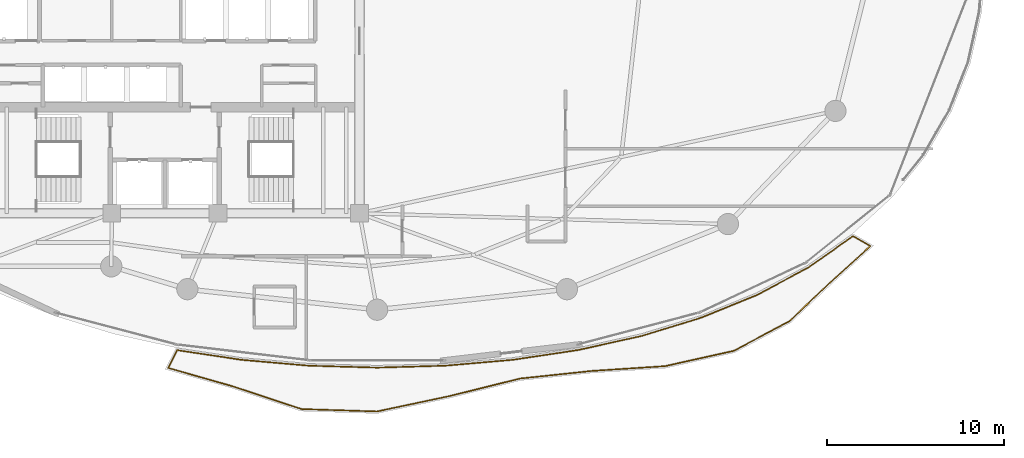
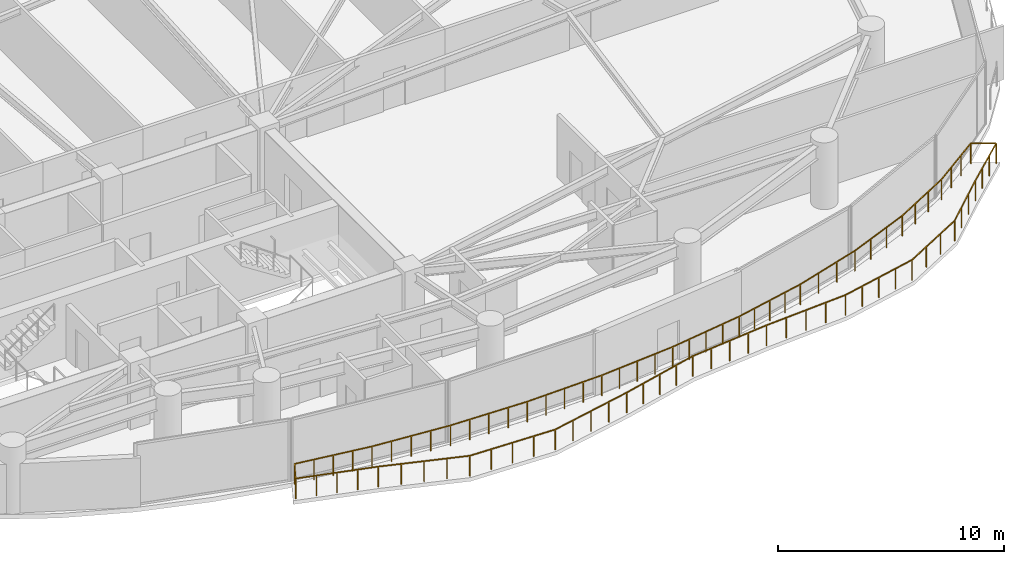
# One storey, part 32 of 34: 1 railing.
"""IFC4 building model written with IfcOpenShell, lengths in metres."""

from ifc_helpers import new_model, si_unit, direction, frame, origin, origin_2d, place, context, subcontext, project, spatial, rectangle, extrude, material, type_object, element, save


model = new_model("IFC4")

# Units and contexts
model_context = context("Model", 3, precision=1e-05, world=origin(), true_north=direction((0.0, 1.0)))
body_context = subcontext(model_context, "Body", "Model", "MODEL_VIEW")
ifc_project = project(units=[si_unit("LENGTHUNIT", "METRE"), si_unit("AREAUNIT", "SQUARE_METRE"), si_unit("VOLUMEUNIT", "CUBIC_METRE"), si_unit("PLANEANGLEUNIT", "RADIAN"), si_unit("MASSUNIT", "GRAM", prefix="KILO")], contexts=[model_context])

# Site, building, storey
site_placement = place(None, origin())
site = spatial("IfcSite", under=ifc_project, at=site_placement, CompositionType="ELEMENT")
building_placement = place(site_placement, origin())
building = spatial("IfcBuilding", under=site, at=building_placement, Name="Kazevale Care Tower and Concert Hall", CompositionType="ELEMENT")
storey_placement = place(building_placement, frame((0.0, 0.0, 156.60009765625)))
storey = spatial("IfcBuildingStorey", under=building, at=storey_placement, Name="L41", CompositionType="ELEMENT", Elevation=156.60009765625)

# Railing
ifc_material = material(Name="Anodised Bronze Aluminium and Laminated Glass", Category="aluminium")
railing_type = type_object("IfcRailingType", Name="Balcony and Terrace Balustrade 1120", PredefinedType="BALUSTRADE", material=ifc_material)
railing_placement = place(storey_placement, frame((33.702880859375, 15.861083984375, 0.0)))
element("IfcRailing", 1, at=railing_placement, inside=storey, type_object=railing_type, Name="rail:L41:balcony", PredefinedType="BALUSTRADE", context=body_context, shape_type="SweptSolid", body=[
    extrude(rectangle(XDim=0.048095703125, YDim=0.048095703125, at=origin_2d()), frame((0.0, 0.0, 1.09619140625), z_axis=(0.988898738041, -0.148591002089, 0.0), x_axis=(0.148591002089, 0.988898738041, 0.0)), (0.0, 0.0, 1.0), 3.6689453125),
    extrude(rectangle(XDim=0.048095703125, YDim=0.048095703125, at=origin_2d()), frame((3.628173828125, -0.545166015625, 1.09619140625), z_axis=(0.996251838222, -0.086500143585, 0.0), x_axis=(0.086500143585, 0.996251838222, 0.0)), (0.0, 0.0, 1.0), 3.824462890625),
    extrude(rectangle(XDim=0.048095703125, YDim=0.048095703125, at=origin_2d()), frame((7.438232421875, -0.8759765625, 1.09619140625), z_axis=(0.999593168995, -0.028521860004, 0.0), x_axis=(0.028521860004, 0.999593168995, 0.0)), (0.0, 0.0, 1.0), 3.8603515625),
    extrude(rectangle(XDim=0.048095703125, YDim=0.048095703125, at=origin_2d()), frame((11.297119140625, -0.986083984375, 1.09619140625), z_axis=(0.999593168995, 0.028521860004, 0.0), x_axis=(-0.028521860004, 0.999593168995, 0.0)), (0.0, 0.0, 1.0), 3.8603515625),
    extrude(rectangle(XDim=0.048095703125, YDim=0.048095703125, at=origin_2d()), frame((15.156005859375, -0.8759765625, 1.09619140625), z_axis=(0.996251838222, 0.086500143585, 0.0), x_axis=(-0.086500143585, 0.996251838222, 0.0)), (0.0, 0.0, 1.0), 3.824462890625),
    extrude(rectangle(XDim=0.048095703125, YDim=0.048095703125, at=origin_2d()), frame((18.966064453125, -0.545166015625, 1.09619140625), z_axis=(0.988903437953, 0.148559719995, 0.0), x_axis=(-0.148559719995, 0.988903437953, 0.0)), (0.0, 0.0, 1.0), 3.7568359375),
    extrude(rectangle(XDim=0.048095703125, YDim=0.048095703125, at=origin_2d()), frame((22.68115234375, 0.012939453125, 1.09619140625), z_axis=(0.9762591871, 0.216605631512, 0.0), x_axis=(-0.216605631512, 0.9762591871, 0.0)), (0.0, 0.0, 1.0), 3.660888671875),
    extrude(rectangle(XDim=0.048095703125, YDim=0.048095703125, at=origin_2d()), frame((26.255126953125, 0.805908203125, 1.09619140625), z_axis=(0.956153868694, 0.292864780028, 0.0), x_axis=(-0.292864780028, 0.956153868694, 0.0)), (0.0, 0.0, 1.0), 3.541259765625),
    extrude(rectangle(XDim=0.048095703125, YDim=0.048095703125, at=origin_2d()), frame((29.64111328125, 1.843017578125, 1.09619140625), z_axis=(0.925821569017, 0.377960874089, 0.0), x_axis=(-0.377960874089, 0.925821569017, 0.0)), (0.0, 0.0, 1.0), 3.409912109375),
    extrude(rectangle(XDim=0.048095703125, YDim=0.048095703125, at=origin_2d()), frame((32.798095703125, 3.1318359375, 1.09619140625), z_axis=(0.881173131857, 0.472793730598, 0.0), x_axis=(-0.472793730598, 0.881173131857, 0.0)), (0.0, 0.0, 1.0), 3.278564453125),
    extrude(rectangle(XDim=0.048095703125, YDim=0.048095703125, at=origin_2d()), frame((35.68701171875, 4.681884765625, 1.09619140625), z_axis=(0.818641866863, 0.574304356435, 0.0), x_axis=(-0.574304356435, 0.818641866863, 0.0)), (0.0, 0.0, 1.0), 3.073486328125),
    extrude(rectangle(XDim=0.048095703125, YDim=0.048095703125, at=origin_2d()), frame((38.203125, 6.447021484375, 1.09619140625), z_axis=(0.865689187785, -0.500581891555, 0.0), x_axis=(0.500581891555, 0.865689187785, 0.0)), (0.0, 0.0, 1.0), 1.122802734375),
    extrude(rectangle(XDim=0.048095703125, YDim=0.048095703125, at=origin_2d()), frame((39.175048828125, 5.885009765625, 1.09619140625), z_axis=(-0.740411087752, -0.672154313483, 0.0), x_axis=(0.672154313483, -0.740411087752, 0.0)), (0.0, 0.0, 1.0), 3.0009765625),
    extrude(rectangle(XDim=0.048095703125, YDim=0.048095703125, at=origin_2d()), frame((36.953125, 3.867919921875, 1.09619140625), z_axis=(-0.7258336775, -0.687870244019, 0.0), x_axis=(0.687870244019, -0.7258336775, 0.0)), (0.0, 0.0, 1.0), 3.23486328125),
    extrude(rectangle(XDim=0.048095703125, YDim=0.048095703125, at=origin_2d()), frame((34.605224609375, 1.642822265625, 1.09619140625), z_axis=(-0.882223714179, -0.470830455832, 0.0), x_axis=(0.470830455832, -0.882223714179, 0.0)), (0.0, 0.0, 1.0), 3.55712890625),
    extrude(rectangle(XDim=0.048095703125, YDim=0.048095703125, at=origin_2d()), frame((31.467041015625, -0.031982421875, 1.09619140625), z_axis=(-0.975895137358, -0.218239961696, 0.0), x_axis=(0.218239961696, -0.975895137358, 0.0)), (0.0, 0.0, 1.0), 3.987060546875),
    extrude(rectangle(XDim=0.048095703125, YDim=0.048095703125, at=origin_2d()), frame((27.576171875, -0.902099609375, 1.09619140625), z_axis=(-0.997852588348, -0.065499709367, 0.0), x_axis=(0.065499709367, -0.997852588348, 0.0)), (0.0, 0.0, 1.0), 4.197021484375),
    extrude(rectangle(XDim=0.048095703125, YDim=0.048095703125, at=origin_2d()), frame((23.38818359375, -1.177001953125, 1.09619140625), z_axis=(-0.994395270222, -0.105726281314, 0.0), x_axis=(0.105726281314, -0.994395270222, 0.0)), (0.0, 0.0, 1.0), 4.038818359375),
    extrude(rectangle(XDim=0.048095703125, YDim=0.048095703125, at=origin_2d()), frame((19.3720703125, -1.60400390625, 1.09619140625), z_axis=(-0.9704684767, -0.241227974604, 0.0), x_axis=(0.241227974604, -0.9704684767, 0.0)), (0.0, 0.0, 1.0), 4.042236328125),
    extrude(rectangle(XDim=0.048095703125, YDim=0.048095703125, at=origin_2d()), frame((15.44921875, -2.5791015625, 1.09619140625), z_axis=(-0.978141936564, -0.207938336855, 0.0), x_axis=(0.207938336855, -0.978141936564, 0.0)), (0.0, 0.0, 1.0), 4.256103515625),
    extrude(rectangle(XDim=0.048095703125, YDim=0.048095703125, at=origin_2d()), frame((11.2861328125, -3.464111328125, 1.09619140625), z_axis=(-0.999493971136, 0.031808829958, 0.0), x_axis=(-0.031808829958, -0.999493971136, 0.0)), (0.0, 0.0, 1.0), 4.275146484375),
    extrude(rectangle(XDim=0.048095703125, YDim=0.048095703125, at=origin_2d()), frame((7.01318359375, -3.328125, 1.09619140625), z_axis=(-0.94930811922, 0.31434709285, 0.0), x_axis=(-0.31434709285, -0.94930811922, 0.0)), (0.0, 0.0, 1.0), 4.12939453125),
    extrude(rectangle(XDim=0.048095703125, YDim=0.048095703125, at=origin_2d()), frame((3.093017578125, -2.030029296875, 1.09619140625), z_axis=(-0.961861887805, 0.273535571339, 0.0), x_axis=(-0.273535571339, -0.961861887805, 0.0)), (0.0, 0.0, 1.0), 3.75390625),
    extrude(rectangle(XDim=0.048095703125, YDim=0.048095703125, at=origin_2d()), frame((-0.517822265625, -1.003173828125, 1.09619140625), z_axis=(0.458681479575, 0.888600754161, 0.0), x_axis=(-0.888600754161, 0.458681479575, 0.0)), (0.0, 0.0, 1.0), 1.12890625),
    extrude(rectangle(XDim=0.0419921875, YDim=0.0419921875, at=origin_2d()), origin(), (0.0, 0.0, 1.0), 1.072021484375),
    extrude(rectangle(XDim=0.0419921875, YDim=0.0419921875, at=origin_2d()), frame((0.906982421875, -0.13623046875, 0.0)), (0.0, 0.0, 1.0), 1.072021484375),
    extrude(rectangle(XDim=0.0419921875, YDim=0.0419921875, at=origin_2d()), frame((1.81396484375, -0.2724609375, 0.0)), (0.0, 0.0, 1.0), 1.072021484375),
    extrude(rectangle(XDim=0.0419921875, YDim=0.0419921875, at=origin_2d()), frame((2.72119140625, -0.408935546875, 0.0)), (0.0, 0.0, 1.0), 1.072021484375),
    extrude(rectangle(XDim=0.0419921875, YDim=0.0419921875, at=origin_2d()), frame((3.628173828125, -0.545166015625, 0.0)), (0.0, 0.0, 1.0), 1.072021484375),
    extrude(rectangle(XDim=0.0419921875, YDim=0.0419921875, at=origin_2d()), frame((4.58056640625, -0.6279296875, 0.0)), (0.0, 0.0, 1.0), 1.072021484375),
    extrude(rectangle(XDim=0.0419921875, YDim=0.0419921875, at=origin_2d()), frame((5.533203125, -0.71044921875, 0.0)), (0.0, 0.0, 1.0), 1.072021484375),
    extrude(rectangle(XDim=0.0419921875, YDim=0.0419921875, at=origin_2d()), frame((6.48583984375, -0.793212890625, 0.0)), (0.0, 0.0, 1.0), 1.072021484375),
    extrude(rectangle(XDim=0.0419921875, YDim=0.0419921875, at=origin_2d()), frame((7.438232421875, -0.8759765625, 0.0)), (0.0, 0.0, 1.0), 1.072021484375),
    extrude(rectangle(XDim=0.0419921875, YDim=0.0419921875, at=origin_2d()), frame((8.40283203125, -0.903564453125, 0.0)), (0.0, 0.0, 1.0), 1.072021484375),
    extrude(rectangle(XDim=0.0419921875, YDim=0.0419921875, at=origin_2d()), frame((9.36767578125, -0.93115234375, 0.0)), (0.0, 0.0, 1.0), 1.072021484375),
    extrude(rectangle(XDim=0.0419921875, YDim=0.0419921875, at=origin_2d()), frame((10.33251953125, -0.95849609375, 0.0)), (0.0, 0.0, 1.0), 1.072021484375),
    extrude(rectangle(XDim=0.0419921875, YDim=0.0419921875, at=origin_2d()), frame((11.297119140625, -0.986083984375, 0.0)), (0.0, 0.0, 1.0), 1.072021484375),
    extrude(rectangle(XDim=0.0419921875, YDim=0.0419921875, at=origin_2d()), frame((12.26171875, -0.95849609375, 0.0)), (0.0, 0.0, 1.0), 1.072021484375),
    extrude(rectangle(XDim=0.0419921875, YDim=0.0419921875, at=origin_2d()), frame((13.2265625, -0.93115234375, 0.0)), (0.0, 0.0, 1.0), 1.072021484375),
    extrude(rectangle(XDim=0.0419921875, YDim=0.0419921875, at=origin_2d()), frame((14.19140625, -0.903564453125, 0.0)), (0.0, 0.0, 1.0), 1.072021484375),
    extrude(rectangle(XDim=0.0419921875, YDim=0.0419921875, at=origin_2d()), frame((15.156005859375, -0.8759765625, 0.0)), (0.0, 0.0, 1.0), 1.072021484375),
    extrude(rectangle(XDim=0.0419921875, YDim=0.0419921875, at=origin_2d()), frame((16.1083984375, -0.793212890625, 0.0)), (0.0, 0.0, 1.0), 1.072021484375),
    extrude(rectangle(XDim=0.0419921875, YDim=0.0419921875, at=origin_2d()), frame((17.06103515625, -0.71044921875, 0.0)), (0.0, 0.0, 1.0), 1.072021484375),
    extrude(rectangle(XDim=0.0419921875, YDim=0.0419921875, at=origin_2d()), frame((18.013671875, -0.6279296875, 0.0)), (0.0, 0.0, 1.0), 1.072021484375),
    extrude(rectangle(XDim=0.0419921875, YDim=0.0419921875, at=origin_2d()), frame((18.966064453125, -0.545166015625, 0.0)), (0.0, 0.0, 1.0), 1.072021484375),
    extrude(rectangle(XDim=0.0419921875, YDim=0.0419921875, at=origin_2d()), frame((19.894775390625, -0.40576171875, 0.0)), (0.0, 0.0, 1.0), 1.072021484375),
    extrude(rectangle(XDim=0.0419921875, YDim=0.0419921875, at=origin_2d()), frame((20.82373046875, -0.26611328125, 0.0)), (0.0, 0.0, 1.0), 1.072021484375),
    extrude(rectangle(XDim=0.0419921875, YDim=0.0419921875, at=origin_2d()), frame((21.75244140625, -0.12646484375, 0.0)), (0.0, 0.0, 1.0), 1.072021484375),
    extrude(rectangle(XDim=0.0419921875, YDim=0.0419921875, at=origin_2d()), frame((22.68115234375, 0.012939453125, 0.0)), (0.0, 0.0, 1.0), 1.072021484375),
    extrude(rectangle(XDim=0.0419921875, YDim=0.0419921875, at=origin_2d()), frame((23.57470703125, 0.211181640625, 0.0)), (0.0, 0.0, 1.0), 1.072021484375),
    extrude(rectangle(XDim=0.0419921875, YDim=0.0419921875, at=origin_2d()), frame((24.46826171875, 0.409423828125, 0.0)), (0.0, 0.0, 1.0), 1.072021484375),
    extrude(rectangle(XDim=0.0419921875, YDim=0.0419921875, at=origin_2d()), frame((25.361572265625, 0.607666015625, 0.0)), (0.0, 0.0, 1.0), 1.072021484375),
    extrude(rectangle(XDim=0.0419921875, YDim=0.0419921875, at=origin_2d()), frame((26.255126953125, 0.805908203125, 0.0)), (0.0, 0.0, 1.0), 1.072021484375),
    extrude(rectangle(XDim=0.0419921875, YDim=0.0419921875, at=origin_2d()), frame((27.3837890625, 1.151611328125, 0.0)), (0.0, 0.0, 1.0), 1.072021484375),
    extrude(rectangle(XDim=0.0419921875, YDim=0.0419921875, at=origin_2d()), frame((28.512451171875, 1.497314453125, 0.0)), (0.0, 0.0, 1.0), 1.072021484375),
    extrude(rectangle(XDim=0.0419921875, YDim=0.0419921875, at=origin_2d()), frame((29.64111328125, 1.843017578125, 0.0)), (0.0, 0.0, 1.0), 1.072021484375),
    extrude(rectangle(XDim=0.0419921875, YDim=0.0419921875, at=origin_2d()), frame((30.693359375, 2.272705078125, 0.0)), (0.0, 0.0, 1.0), 1.072021484375),
    extrude(rectangle(XDim=0.0419921875, YDim=0.0419921875, at=origin_2d()), frame((31.745849609375, 2.7021484375, 0.0)), (0.0, 0.0, 1.0), 1.072021484375),
    extrude(rectangle(XDim=0.0419921875, YDim=0.0419921875, at=origin_2d()), frame((32.798095703125, 3.1318359375, 0.0)), (0.0, 0.0, 1.0), 1.072021484375),
    extrude(rectangle(XDim=0.0419921875, YDim=0.0419921875, at=origin_2d()), frame((33.760986328125, 3.6484375, 0.0)), (0.0, 0.0, 1.0), 1.072021484375),
    extrude(rectangle(XDim=0.0419921875, YDim=0.0419921875, at=origin_2d()), frame((34.72412109375, 4.165283203125, 0.0)), (0.0, 0.0, 1.0), 1.072021484375),
    extrude(rectangle(XDim=0.0419921875, YDim=0.0419921875, at=origin_2d()), frame((35.68701171875, 4.681884765625, 0.0)), (0.0, 0.0, 1.0), 1.072021484375),
    extrude(rectangle(XDim=0.0419921875, YDim=0.0419921875, at=origin_2d()), frame((36.525634765625, 5.270263671875, 0.0)), (0.0, 0.0, 1.0), 1.072021484375),
    extrude(rectangle(XDim=0.0419921875, YDim=0.0419921875, at=origin_2d()), frame((37.364501953125, 5.858642578125, 0.0)), (0.0, 0.0, 1.0), 1.072021484375),
    extrude(rectangle(XDim=0.0419921875, YDim=0.0419921875, at=origin_2d()), frame((38.203125, 6.447021484375, 0.0)), (0.0, 0.0, 1.0), 1.072021484375),
    extrude(rectangle(XDim=0.0419921875, YDim=0.0419921875, at=origin_2d()), frame((39.175048828125, 5.885009765625, 0.0)), (0.0, 0.0, 1.0), 1.072021484375),
    extrude(rectangle(XDim=0.0419921875, YDim=0.0419921875, at=origin_2d()), frame((38.434326171875, 5.212646484375, 0.0)), (0.0, 0.0, 1.0), 1.072021484375),
    extrude(rectangle(XDim=0.0419921875, YDim=0.0419921875, at=origin_2d()), frame((37.69384765625, 4.540283203125, 0.0)), (0.0, 0.0, 1.0), 1.072021484375),
    extrude(rectangle(XDim=0.0419921875, YDim=0.0419921875, at=origin_2d()), frame((36.953125, 3.867919921875, 0.0)), (0.0, 0.0, 1.0), 1.072021484375),
    extrude(rectangle(XDim=0.0419921875, YDim=0.0419921875, at=origin_2d()), frame((36.17041015625, 3.126220703125, 0.0)), (0.0, 0.0, 1.0), 1.072021484375),
    extrude(rectangle(XDim=0.0419921875, YDim=0.0419921875, at=origin_2d()), frame((35.387939453125, 2.384521484375, 0.0)), (0.0, 0.0, 1.0), 1.072021484375),
    extrude(rectangle(XDim=0.0419921875, YDim=0.0419921875, at=origin_2d()), frame((34.605224609375, 1.642822265625, 0.0)), (0.0, 0.0, 1.0), 1.072021484375),
    extrude(rectangle(XDim=0.0419921875, YDim=0.0419921875, at=origin_2d()), frame((33.55908203125, 1.08447265625, 0.0)), (0.0, 0.0, 1.0), 1.072021484375),
    extrude(rectangle(XDim=0.0419921875, YDim=0.0419921875, at=origin_2d()), frame((32.51318359375, 0.5263671875, 0.0)), (0.0, 0.0, 1.0), 1.072021484375),
    extrude(rectangle(XDim=0.0419921875, YDim=0.0419921875, at=origin_2d()), frame((31.467041015625, -0.031982421875, 0.0)), (0.0, 0.0, 1.0), 1.072021484375),
    extrude(rectangle(XDim=0.0419921875, YDim=0.0419921875, at=origin_2d()), frame((30.494384765625, -0.24951171875, 0.0)), (0.0, 0.0, 1.0), 1.072021484375),
    extrude(rectangle(XDim=0.0419921875, YDim=0.0419921875, at=origin_2d()), frame((29.521484375, -0.467041015625, 0.0)), (0.0, 0.0, 1.0), 1.072021484375),
    extrude(rectangle(XDim=0.0419921875, YDim=0.0419921875, at=origin_2d()), frame((28.548828125, -0.6845703125, 0.0)), (0.0, 0.0, 1.0), 1.072021484375),
    extrude(rectangle(XDim=0.0419921875, YDim=0.0419921875, at=origin_2d()), frame((27.576171875, -0.902099609375, 0.0)), (0.0, 0.0, 1.0), 1.072021484375),
    extrude(rectangle(XDim=0.0419921875, YDim=0.0419921875, at=origin_2d()), frame((26.529296875, -0.970703125, 0.0)), (0.0, 0.0, 1.0), 1.072021484375),
    extrude(rectangle(XDim=0.0419921875, YDim=0.0419921875, at=origin_2d()), frame((25.482177734375, -1.03955078125, 0.0)), (0.0, 0.0, 1.0), 1.072021484375),
    extrude(rectangle(XDim=0.0419921875, YDim=0.0419921875, at=origin_2d()), frame((24.43505859375, -1.1083984375, 0.0)), (0.0, 0.0, 1.0), 1.072021484375),
    extrude(rectangle(XDim=0.0419921875, YDim=0.0419921875, at=origin_2d()), frame((23.38818359375, -1.177001953125, 0.0)), (0.0, 0.0, 1.0), 1.072021484375),
    extrude(rectangle(XDim=0.0419921875, YDim=0.0419921875, at=origin_2d()), frame((22.38427734375, -1.28369140625, 0.0)), (0.0, 0.0, 1.0), 1.072021484375),
    extrude(rectangle(XDim=0.0419921875, YDim=0.0419921875, at=origin_2d()), frame((21.380126953125, -1.390625, 0.0)), (0.0, 0.0, 1.0), 1.072021484375),
    extrude(rectangle(XDim=0.0419921875, YDim=0.0419921875, at=origin_2d()), frame((20.3759765625, -1.497314453125, 0.0)), (0.0, 0.0, 1.0), 1.072021484375),
    extrude(rectangle(XDim=0.0419921875, YDim=0.0419921875, at=origin_2d()), frame((19.3720703125, -1.60400390625, 0.0)), (0.0, 0.0, 1.0), 1.072021484375),
    extrude(rectangle(XDim=0.0419921875, YDim=0.0419921875, at=origin_2d()), frame((18.391357421875, -1.84765625, 0.0)), (0.0, 0.0, 1.0), 1.072021484375),
    extrude(rectangle(XDim=0.0419921875, YDim=0.0419921875, at=origin_2d()), frame((17.41064453125, -2.091552734375, 0.0)), (0.0, 0.0, 1.0), 1.072021484375),
    extrude(rectangle(XDim=0.0419921875, YDim=0.0419921875, at=origin_2d()), frame((16.429931640625, -2.33544921875, 0.0)), (0.0, 0.0, 1.0), 1.072021484375),
    extrude(rectangle(XDim=0.0419921875, YDim=0.0419921875, at=origin_2d()), frame((15.44921875, -2.5791015625, 0.0)), (0.0, 0.0, 1.0), 1.072021484375),
    extrude(rectangle(XDim=0.0419921875, YDim=0.0419921875, at=origin_2d()), frame((14.408447265625, -2.80029296875, 0.0)), (0.0, 0.0, 1.0), 1.072021484375),
    extrude(rectangle(XDim=0.0419921875, YDim=0.0419921875, at=origin_2d()), frame((13.36767578125, -3.021484375, 0.0)), (0.0, 0.0, 1.0), 1.072021484375),
    extrude(rectangle(XDim=0.0419921875, YDim=0.0419921875, at=origin_2d()), frame((12.326904296875, -3.242919921875, 0.0)), (0.0, 0.0, 1.0), 1.072021484375),
    extrude(rectangle(XDim=0.0419921875, YDim=0.0419921875, at=origin_2d()), frame((11.2861328125, -3.464111328125, 0.0)), (0.0, 0.0, 1.0), 1.072021484375),
    extrude(rectangle(XDim=0.0419921875, YDim=0.0419921875, at=origin_2d()), frame((10.2177734375, -3.43017578125, 0.0)), (0.0, 0.0, 1.0), 1.072021484375),
    extrude(rectangle(XDim=0.0419921875, YDim=0.0419921875, at=origin_2d()), frame((9.149658203125, -3.39599609375, 0.0)), (0.0, 0.0, 1.0), 1.072021484375),
    extrude(rectangle(XDim=0.0419921875, YDim=0.0419921875, at=origin_2d()), frame((8.08154296875, -3.362060546875, 0.0)), (0.0, 0.0, 1.0), 1.072021484375),
    extrude(rectangle(XDim=0.0419921875, YDim=0.0419921875, at=origin_2d()), frame((7.01318359375, -3.328125, 0.0)), (0.0, 0.0, 1.0), 1.072021484375),
    extrude(rectangle(XDim=0.0419921875, YDim=0.0419921875, at=origin_2d()), frame((6.033203125, -3.003662109375, 0.0)), (0.0, 0.0, 1.0), 1.072021484375),
    extrude(rectangle(XDim=0.0419921875, YDim=0.0419921875, at=origin_2d()), frame((5.05322265625, -2.67919921875, 0.0)), (0.0, 0.0, 1.0), 1.072021484375),
    extrude(rectangle(XDim=0.0419921875, YDim=0.0419921875, at=origin_2d()), frame((4.072998046875, -2.3544921875, 0.0)), (0.0, 0.0, 1.0), 1.072021484375),
    extrude(rectangle(XDim=0.0419921875, YDim=0.0419921875, at=origin_2d()), frame((3.093017578125, -2.030029296875, 0.0)), (0.0, 0.0, 1.0), 1.072021484375),
    extrude(rectangle(XDim=0.0419921875, YDim=0.0419921875, at=origin_2d()), frame((2.1904296875, -1.7734375, 0.0)), (0.0, 0.0, 1.0), 1.072021484375),
    extrude(rectangle(XDim=0.0419921875, YDim=0.0419921875, at=origin_2d()), frame((1.28759765625, -1.5166015625, 0.0)), (0.0, 0.0, 1.0), 1.072021484375),
    extrude(rectangle(XDim=0.0419921875, YDim=0.0419921875, at=origin_2d()), frame((0.384765625, -1.259765625, 0.0)), (0.0, 0.0, 1.0), 1.072021484375),
    extrude(rectangle(XDim=0.0419921875, YDim=0.0419921875, at=origin_2d()), frame((-0.517822265625, -1.003173828125, 0.0)), (0.0, 0.0, 1.0), 1.072021484375),
])

save(model, "model.ifc")
